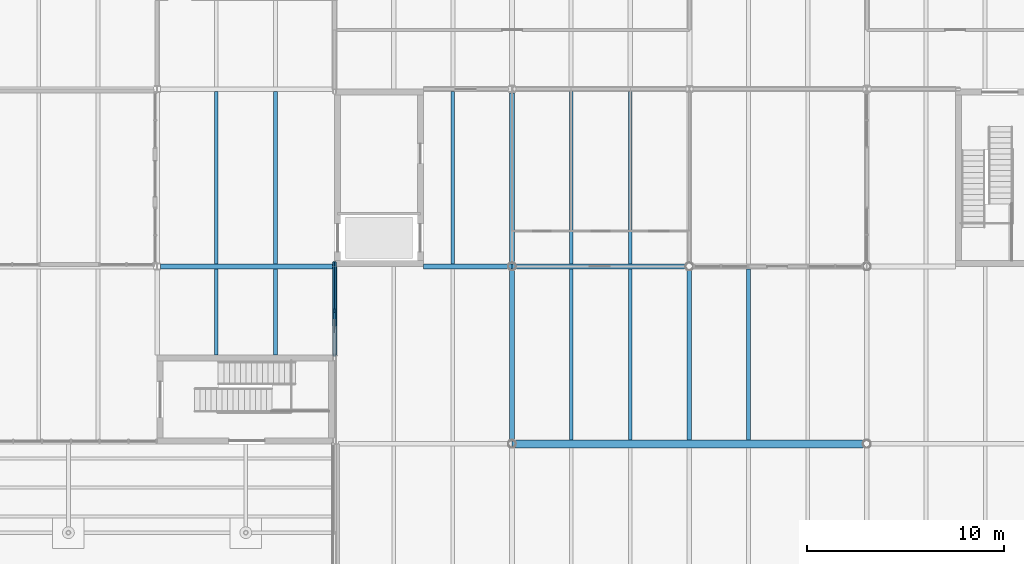
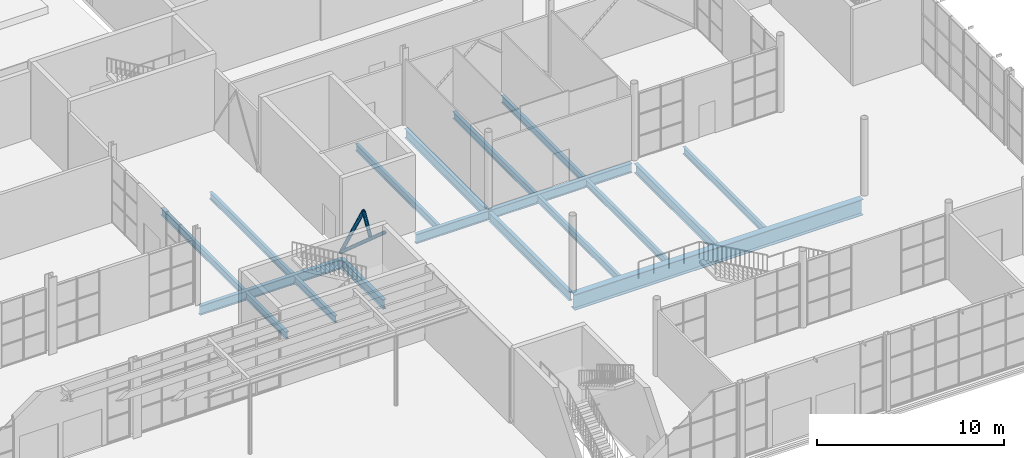
# One storey, part 22 of 63: 18 beams, 3 members.
"""IFC4 building model written with IfcOpenShell, lengths in metres."""

from ifc_helpers import new_model, si_unit, direction, frame, origin, origin_2d, place, context, subcontext, project, spatial, hollow_circle, i_section, extrude, material, material_profile, profile_set, type_object, element, save


model = new_model("IFC4")

# Units and contexts
model_context = context("Model", 3, precision=1e-05, world=origin(), true_north=direction((0.0, 1.0)))
body_context = subcontext(model_context, "Body", "Model", "MODEL_VIEW")
ifc_project = project(units=[si_unit("LENGTHUNIT", "METRE"), si_unit("AREAUNIT", "SQUARE_METRE"), si_unit("VOLUMEUNIT", "CUBIC_METRE"), si_unit("PLANEANGLEUNIT", "RADIAN"), si_unit("MASSUNIT", "GRAM", prefix="KILO")], contexts=[model_context])

# Site, building, storey
site_placement = place(None, origin())
site = spatial("IfcSite", under=ifc_project, at=site_placement, CompositionType="ELEMENT")
building_placement = place(site_placement, origin())
building = spatial("IfcBuilding", under=site, at=building_placement, Name="Halyard Row Museum", CompositionType="ELEMENT")
storey_placement = place(building_placement, origin())
storey = spatial("IfcBuildingStorey", under=building, at=storey_placement, Name="L00", CompositionType="ELEMENT", Elevation=0.0)

# Members
ifc_material_1 = material(Name="Steel Grade C350L0", Category="steel")
ifc_material_profile_1 = material_profile(ifc_material_1, hollow_circle(Radius=0.109619140625, WallThickness=0.00830078125, at=origin_2d()), Name="219.1x8.2CHS")
ifc_profile_set_1 = profile_set([ifc_material_profile_1], Name="Steel Grade C350L0")
member_type = type_object("IfcMemberType", Name="Brace 219.1x8.2CHS", PredefinedType="BRACE", material=ifc_profile_set_1)
member_1_placement = place(storey_placement, frame((72.0, 27.169921875, 0.109619140625), z_axis=(0.0, -0.750200565965, 0.661210337809), x_axis=(1.0, 0.0, 0.0)))
element("IfcMember", 1, at=member_1_placement, inside=storey, type_object=member_type, Name="Brace L00 X72 18-27 B", PredefinedType="BRACE", context=body_context, shape_type="SweptSolid", body=[
    extrude(hollow_circle(Radius=0.109619140625, WallThickness=0.00830078125, at=origin_2d()), origin(), (0.0, 0.0, 1.0), 6.224853515625),
])
member_2_placement = place(storey_placement, frame((72.0, 24.03125, 3.02197265625), z_axis=(0.0, 0.504456876192, 0.863436888292), x_axis=(-1.0, 0.0, 0.0)))
element("IfcMember", 2, at=member_2_placement, inside=storey, type_object=member_type, Name="Brace L00 X72 22.5-27 A upper", PredefinedType="BRACE", context=body_context, shape_type="SweptSolid", body=[
    extrude(hollow_circle(Radius=0.109619140625, WallThickness=0.00830078125, at=origin_2d()), origin(), (0.0, 0.0, 1.0), 1.4248046875),
])
member_3_placement = place(storey_placement, frame((72.0, 27.169921875, 0.109619140625), z_axis=(0.0, -0.504402486263, 0.863468662924), x_axis=(1.0, 0.0, 0.0)))
element("IfcMember", 3, at=member_3_placement, inside=storey, type_object=member_type, Name="Brace L00 X72 22.5-27 B", PredefinedType="BRACE", context=body_context, shape_type="SweptSolid", body=[
    extrude(hollow_circle(Radius=0.109619140625, WallThickness=0.00830078125, at=origin_2d()), origin(), (0.0, 0.0, 1.0), 4.797607421875),
])

# Beams
ifc_material_2 = material(Name="Steel Grade 300", Category="steel")
ifc_material_profile_2 = material_profile(ifc_material_2, i_section(OverallWidth=0.22900390625, OverallDepth=0.611572265625, WebThickness=0.011962890625, FlangeThickness=0.01953125, FilletRadius=0.013916015625, at=origin_2d()), Name="610UB125")
ifc_profile_set_2 = profile_set([ifc_material_profile_2], Name="Steel Grade 300")
beam_type_1 = type_object("IfcBeamType", Name="Girder beam 610UB125", PredefinedType="BEAM", material=ifc_profile_set_2)
beam_1_placement = place(storey_placement, frame((63.175048828125, 27.0, -0.470703125), z_axis=(1.0, 0.0, 0.0), x_axis=(0.0, 1.0, 0.0)))
element("IfcBeam", 4, at=beam_1_placement, inside=storey, type_object=beam_type_1, Name="Beam L00-019", PredefinedType="BEAM", context=body_context, shape_type="SweptSolid", body=[
    extrude(i_section(OverallWidth=0.22900390625, OverallDepth=0.611572265625, WebThickness=0.011962890625, FlangeThickness=0.01953125, FilletRadius=0.013916015625, at=origin_2d()), origin(), (0.0, 0.0, 1.0), 8.824951171875),
])
beam_2_placement = place(storey_placement, frame((76.5, 27.0, -0.470703125), z_axis=(1.0, 0.0, 0.0), x_axis=(0.0, 1.0, 0.0)))
element("IfcBeam", 5, at=beam_2_placement, inside=storey, type_object=beam_type_1, Name="Beam L00-020", PredefinedType="BEAM", context=body_context, shape_type="SweptSolid", body=[
    extrude(i_section(OverallWidth=0.22900390625, OverallDepth=0.611572265625, WebThickness=0.011962890625, FlangeThickness=0.01953125, FilletRadius=0.013916015625, at=origin_2d()), origin(), (0.0, 0.0, 1.0), 4.487548828125),
])
beam_3_placement = place(storey_placement, frame((81.012451171875, 27.0, -0.470703125), z_axis=(1.0, 0.0, 0.0), x_axis=(0.0, 1.0, 0.0)))
element("IfcBeam", 6, at=beam_3_placement, inside=storey, type_object=beam_type_1, Name="Beam L00-021", PredefinedType="BEAM", context=body_context, shape_type="SweptSolid", body=[
    extrude(i_section(OverallWidth=0.22900390625, OverallDepth=0.611572265625, WebThickness=0.011962890625, FlangeThickness=0.01953125, FilletRadius=0.013916015625, at=origin_2d()), origin(), (0.0, 0.0, 1.0), 8.8125),
])
beam_4_placement = place(storey_placement, frame((72.0, 22.5, -0.470703125), z_axis=(0.0, 1.0, 0.0), x_axis=(-1.0, 0.0, 0.0)))
element("IfcBeam", 7, at=beam_4_placement, inside=storey, type_object=beam_type_1, Name="Beam L00-059", PredefinedType="BEAM", context=body_context, shape_type="SweptSolid", body=[
    extrude(i_section(OverallWidth=0.22900390625, OverallDepth=0.611572265625, WebThickness=0.011962890625, FlangeThickness=0.01953125, FilletRadius=0.013916015625, at=origin_2d()), origin(), (0.0, 0.0, 1.0), 4.5),
])
for number, where, z_axis, x_axis, name in (
    (8, (81.0, 18.20703125, -0.470703125), (0.0, 1.0, 0.0), (-1.0, 0.0, 0.0), "Beam L00-063"),
    (9, (81.0, 27.20703125, -0.470703125), (0.0, 1.0, 0.0), (-1.0, 0.0, 0.0), "Beam L00-064"),
):
    element("IfcBeam", number, at=place(storey_placement, frame(where, z_axis=z_axis, x_axis=x_axis)), inside=storey, type_object=beam_type_1, Name=name, PredefinedType="BEAM", context=body_context, shape_type="SweptSolid", body=[
        extrude(i_section(OverallWidth=0.22900390625, OverallDepth=0.611572265625, WebThickness=0.011962890625, FlangeThickness=0.01953125, FilletRadius=0.013916015625, at=origin_2d()), origin(), (0.0, 0.0, 1.0), 8.5859375),
    ])
beam_5_placement = place(storey_placement, frame((90.0, 18.199951171875, -0.470703125), z_axis=(0.0, 1.0, 0.0), x_axis=(-1.0, 0.0, 0.0)))
element("IfcBeam", 10, at=beam_5_placement, inside=storey, type_object=beam_type_1, Name="Beam L00-068", PredefinedType="BEAM", context=body_context, shape_type="SweptSolid", body=[
    extrude(i_section(OverallWidth=0.22900390625, OverallDepth=0.611572265625, WebThickness=0.011962890625, FlangeThickness=0.01953125, FilletRadius=0.013916015625, at=origin_2d()), origin(), (0.0, 0.0, 1.0), 8.630615234375),
])
ifc_material_3 = material(Name="Steel Grade 300", Category="steel")
ifc_material_profile_3 = material_profile(ifc_material_3, i_section(OverallWidth=0.39990234375, OverallDepth=1.02392578125, WebThickness=0.01611328125, FlangeThickness=0.031982421875, at=origin_2d()), Name="1000WB322")
ifc_profile_set_3 = profile_set([ifc_material_profile_3], Name="Steel Grade 300")
beam_type_2 = type_object("IfcBeamType", Name="Long span beam 1000WB322", PredefinedType="BEAM", material=ifc_profile_set_3)
beam_6_placement = place(storey_placement, frame((81.012451171875, 18.0, -0.677001953125), z_axis=(1.0, 0.0, 0.0), x_axis=(0.0, 1.0, 0.0)))
element("IfcBeam", 11, at=beam_6_placement, inside=storey, type_object=beam_type_2, Name="Beam L00-012", PredefinedType="BEAM", context=body_context, shape_type="SweptSolid", body=[
    extrude(i_section(OverallWidth=0.39990234375, OverallDepth=1.02392578125, WebThickness=0.01611328125, FlangeThickness=0.031982421875, at=origin_2d()), origin(), (0.0, 0.0, 1.0), 17.8125),
])
ifc_material_4 = material(Name="Steel Grade 300", Category="steel")
ifc_material_profile_4 = material_profile(ifc_material_4, i_section(OverallWidth=0.18994140625, OverallDepth=0.453857421875, WebThickness=0.008544921875, FlangeThickness=0.0126953125, FilletRadius=0.011474609375, at=origin_2d()), Name="460UB67.1")
ifc_profile_set_4 = profile_set([ifc_material_profile_4], Name="Steel Grade 300")
beam_type_3 = type_object("IfcBeamType", Name="Secondary beam 460UB67.1", PredefinedType="BEAM", material=ifc_profile_set_4)
for number, where, z_axis, x_axis, name in (
    (12, (84.0, 18.199951171875, -0.391845703125), (0.0, 1.0, 0.0), (-1.0, 0.0, 0.0), "Beam L00-115"),
    (13, (87.0, 18.199951171875, -0.391845703125), (0.0, 1.0, 0.0), (-1.0, 0.0, 0.0), "Beam L00-116"),
    (14, (93.0, 18.199951171875, -0.391845703125), (0.0, 1.0, 0.0), (-1.0, 0.0, 0.0), "Beam L00-117"),
):
    element("IfcBeam", number, at=place(storey_placement, frame(where, z_axis=z_axis, x_axis=x_axis)), inside=storey, type_object=beam_type_3, Name=name, PredefinedType="BEAM", context=body_context, shape_type="SweptSolid", body=[
        extrude(i_section(OverallWidth=0.18994140625, OverallDepth=0.453857421875, WebThickness=0.008544921875, FlangeThickness=0.0126953125, FilletRadius=0.011474609375, at=origin_2d()), origin(), (0.0, 0.0, 1.0), 8.685546875),
    ])
for number, where, z_axis, x_axis, name in (
    (15, (66.0, 22.5, -0.391845703125), (0.0, 1.0, 0.0), (-1.0, 0.0, 0.0), "Beam L00-121"),
    (16, (69.0, 22.5, -0.391845703125), (0.0, 1.0, 0.0), (-1.0, 0.0, 0.0), "Beam L00-122"),
):
    element("IfcBeam", number, at=place(storey_placement, frame(where, z_axis=z_axis, x_axis=x_axis)), inside=storey, type_object=beam_type_3, Name=name, PredefinedType="BEAM", context=body_context, shape_type="SweptSolid", body=[
        extrude(i_section(OverallWidth=0.18994140625, OverallDepth=0.453857421875, WebThickness=0.008544921875, FlangeThickness=0.0126953125, FilletRadius=0.011474609375, at=origin_2d()), origin(), (0.0, 0.0, 1.0), 4.385498046875),
    ])
for number, where, z_axis, x_axis, name in (
    (17, (66.0, 27.114501953125, -0.391845703125), (0.0, 1.0, 0.0), (-1.0, 0.0, 0.0), "Beam L00-133"),
    (18, (69.0, 27.114501953125, -0.391845703125), (0.0, 1.0, 0.0), (-1.0, 0.0, 0.0), "Beam L00-134"),
):
    element("IfcBeam", number, at=place(storey_placement, frame(where, z_axis=z_axis, x_axis=x_axis)), inside=storey, type_object=beam_type_3, Name=name, PredefinedType="BEAM", context=body_context, shape_type="SweptSolid", body=[
        extrude(i_section(OverallWidth=0.18994140625, OverallDepth=0.453857421875, WebThickness=0.008544921875, FlangeThickness=0.0126953125, FilletRadius=0.011474609375, at=origin_2d()), origin(), (0.0, 0.0, 1.0), 8.77099609375),
    ])
for number, where, z_axis, x_axis, name in (
    (19, (78.0, 27.114501953125, -0.391845703125), (0.0, 1.0, 0.0), (-1.0, 0.0, 0.0), "Beam L00-135"),
    (20, (84.0, 27.114501953125, -0.391845703125), (0.0, 1.0, 0.0), (-1.0, 0.0, 0.0), "Beam L00-136"),
    (21, (87.0, 27.114501953125, -0.391845703125), (0.0, 1.0, 0.0), (-1.0, 0.0, 0.0), "Beam L00-137"),
):
    element("IfcBeam", number, at=place(storey_placement, frame(where, z_axis=z_axis, x_axis=x_axis)), inside=storey, type_object=beam_type_3, Name=name, PredefinedType="BEAM", context=body_context, shape_type="SweptSolid", body=[
        extrude(i_section(OverallWidth=0.18994140625, OverallDepth=0.453857421875, WebThickness=0.008544921875, FlangeThickness=0.0126953125, FilletRadius=0.011474609375, at=origin_2d()), origin(), (0.0, 0.0, 1.0), 8.760498046875),
    ])

save(model, "model.ifc")
